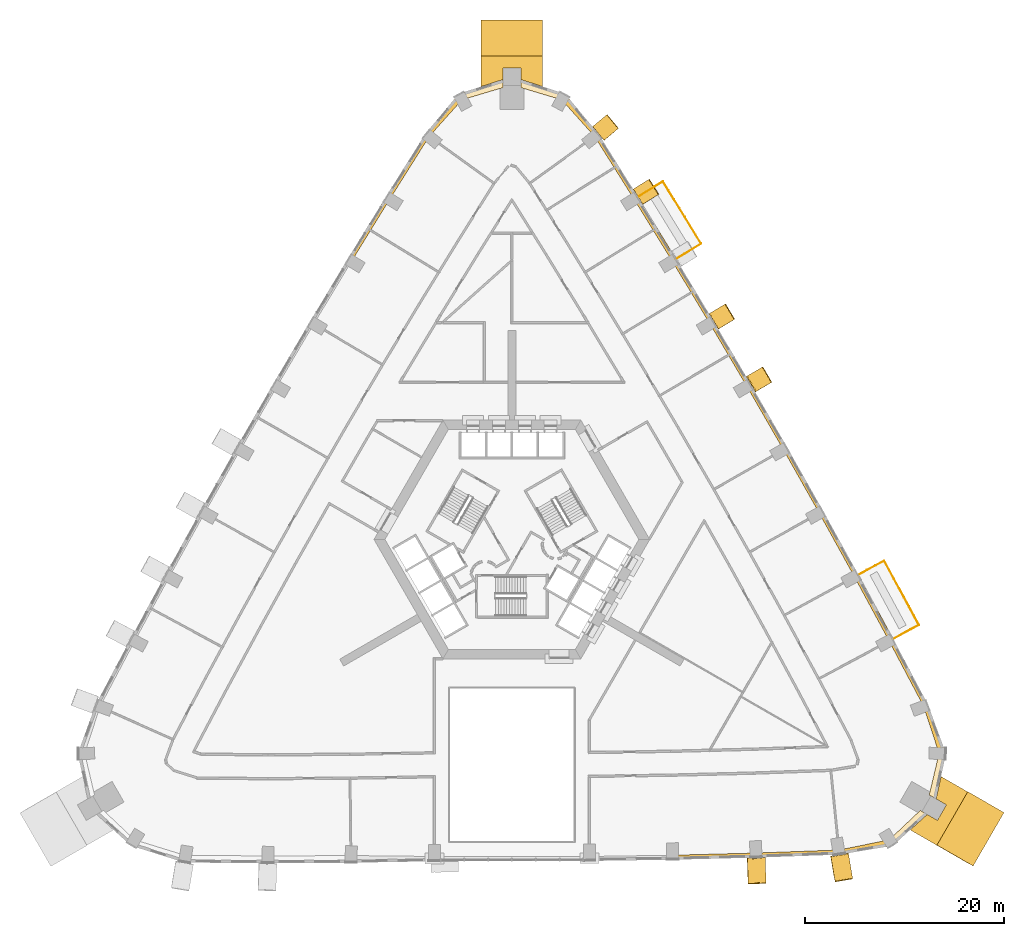
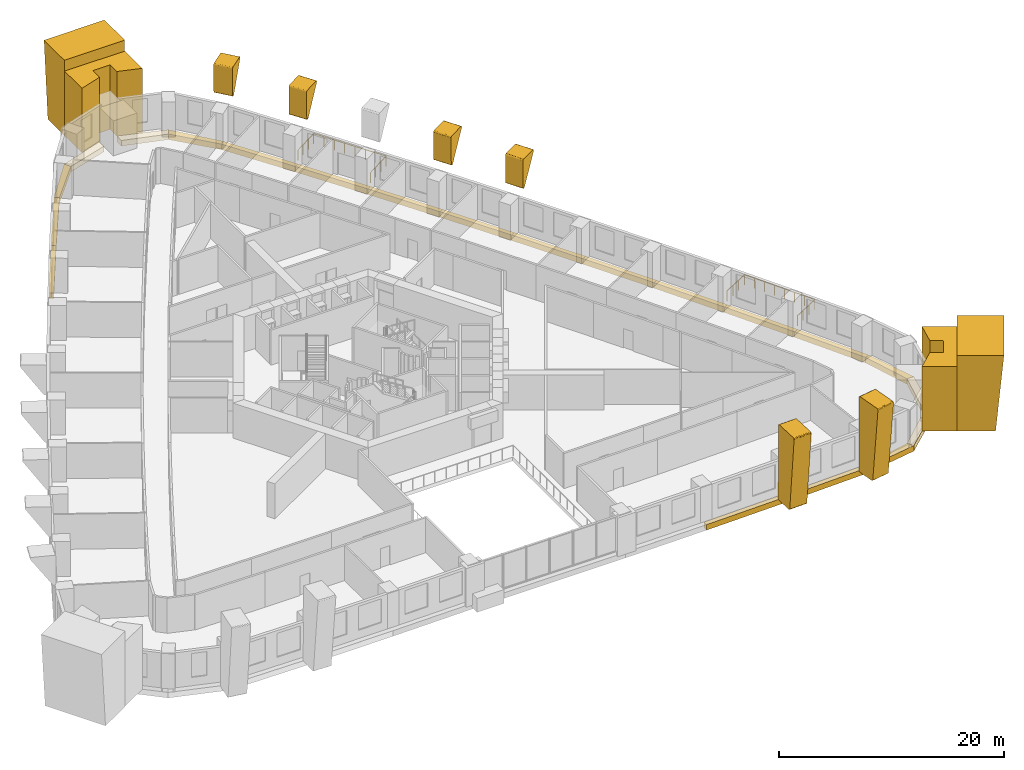
# One storey, part 17 of 17: 31 coverings, 2 railings.
"""IFC4 building model written with IfcOpenShell, lengths in metres."""

from ifc_helpers import new_model, si_unit, direction, frame, origin, origin_2d, place, context, subcontext, project, spatial, polyline, circle, outline, extrude, material, type_object, element, save


model = new_model("IFC4")

# Units and contexts
model_context = context("Model", 3, precision=1e-05, world=origin(), true_north=direction((0.0, 1.0)))
body_context = subcontext(model_context, "Body", "Model", "MODEL_VIEW")
ifc_project = project(units=[si_unit("LENGTHUNIT", "METRE"), si_unit("AREAUNIT", "SQUARE_METRE"), si_unit("VOLUMEUNIT", "CUBIC_METRE"), si_unit("PLANEANGLEUNIT", "RADIAN"), si_unit("MASSUNIT", "GRAM", prefix="KILO")], contexts=[model_context])

# Site, building, storey
site_placement = place(None, origin())
site = spatial("IfcSite", under=ifc_project, at=site_placement, CompositionType="ELEMENT")
building_placement = place(site_placement, origin())
building = spatial("IfcBuilding", under=site, at=building_placement, Name="Entoto Arch Interchange Tower", CompositionType="ELEMENT")
storey_placement = place(building_placement, frame((0.0, 0.0, 72.800048828125)))
storey = spatial("IfcBuildingStorey", under=building, at=storey_placement, Name="L15", CompositionType="ELEMENT", Elevation=72.800048828125)

# Railings
ifc_material_1 = material(Name="Stainless steel 1.4301", Category="steel")
railing_type = type_object("IfcRailingType", Name="GUARD 1100 STEEL AND GLASS", PredefinedType="GUARDRAIL", material=ifc_material_1)
railing_1_placement = place(storey_placement, frame((38.321044921875, -7.491943359375, 0.0)))
element("IfcRailing", 1, at=railing_1_placement, inside=storey, type_object=railing_type, Name="Balcony guard NE-02 L15", PredefinedType="GUARDRAIL", context=body_context, shape_type="SweptSolid", body=[
    extrude(circle(Radius=0.02392578125, at=origin_2d()), frame((0.0, 0.0, 1.076171875), z_axis=(0.879299186895, 0.476269818408, 0.0), x_axis=(-0.476269818408, 0.879299186895, 0.0)), (0.0, 0.0, 1.0), 2.949951171875),
    extrude(circle(Radius=0.02392578125, at=origin_2d()), frame((2.593994140625, 1.405029296875, 1.076171875), z_axis=(-0.476182273115, 0.879346599909, 0.0), x_axis=(-0.879346599909, -0.476182273115, 0.0)), (0.0, 0.0, 1.0), 7.3291015625),
    extrude(circle(Radius=0.02392578125, at=origin_2d()), frame((-0.89599609375, 7.849853515625, 1.076171875), z_axis=(-0.879299186895, -0.476269818408, 0.0), x_axis=(0.476269818408, -0.879299186895, 0.0)), (0.0, 0.0, 1.0), 2.949951171875),
    extrude(circle(Radius=0.02099609375, at=origin_2d()), origin(), (0.0, 0.0, 1.0), 1.052001953125),
    extrude(circle(Radius=0.02099609375, at=origin_2d()), frame((0.86474609375, 0.46826171875, 0.0)), (0.0, 0.0, 1.0), 1.052001953125),
    extrude(circle(Radius=0.02099609375, at=origin_2d()), frame((1.729248046875, 0.936767578125, 0.0)), (0.0, 0.0, 1.0), 1.052001953125),
    extrude(circle(Radius=0.02099609375, at=origin_2d()), frame((2.593994140625, 1.405029296875, 0.0)), (0.0, 0.0, 1.0), 1.052001953125),
    extrude(circle(Radius=0.02099609375, at=origin_2d()), frame((2.095458984375, 2.32568359375, 0.0)), (0.0, 0.0, 1.0), 1.052001953125),
    extrude(circle(Radius=0.02099609375, at=origin_2d()), frame((1.596923828125, 3.246337890625, 0.0)), (0.0, 0.0, 1.0), 1.052001953125),
    extrude(circle(Radius=0.02099609375, at=origin_2d()), frame((1.098388671875, 4.1669921875, 0.0)), (0.0, 0.0, 1.0), 1.052001953125),
    extrude(circle(Radius=0.02099609375, at=origin_2d()), frame((0.599609375, 5.087890625, 0.0)), (0.0, 0.0, 1.0), 1.052001953125),
    extrude(circle(Radius=0.02099609375, at=origin_2d()), frame((0.10107421875, 6.008544921875, 0.0)), (0.0, 0.0, 1.0), 1.052001953125),
    extrude(circle(Radius=0.02099609375, at=origin_2d()), frame((-0.3974609375, 6.92919921875, 0.0)), (0.0, 0.0, 1.0), 1.052001953125),
    extrude(circle(Radius=0.02099609375, at=origin_2d()), frame((-0.89599609375, 7.849853515625, 0.0)), (0.0, 0.0, 1.0), 1.052001953125),
    extrude(circle(Radius=0.02099609375, at=origin_2d()), frame((-1.7607421875, 7.381591796875, 0.0)), (0.0, 0.0, 1.0), 1.052001953125),
    extrude(circle(Radius=0.02099609375, at=origin_2d()), frame((-2.625244140625, 6.9130859375, 0.0)), (0.0, 0.0, 1.0), 1.052001953125),
    extrude(circle(Radius=0.02099609375, at=origin_2d()), frame((-3.489990234375, 6.44482421875, 0.0)), (0.0, 0.0, 1.0), 1.052001953125),
])
railing_2_placement = place(storey_placement, frame((16.509033203125, 30.68798828125, 0.0)))
element("IfcRailing", 2, at=railing_2_placement, inside=storey, type_object=railing_type, Name="Balcony guard NE-08 L15", PredefinedType="GUARDRAIL", context=body_context, shape_type="SweptSolid", body=[
    extrude(circle(Radius=0.02392578125, at=origin_2d()), frame((0.0, 0.0, 1.076171875), z_axis=(0.852123962976, 0.523339996296, 0.0), x_axis=(-0.523339996296, 0.852123962976, 0.0)), (0.0, 0.0, 1.0), 2.9501953125),
    extrude(circle(Radius=0.02392578125, at=origin_2d()), frame((2.513916015625, 1.5439453125, 1.076171875), z_axis=(-0.52342086936, 0.852074288732, 0.0), x_axis=(-0.852074288732, -0.52342086936, 0.0)), (0.0, 0.0, 1.0), 7.33056640625),
    extrude(circle(Radius=0.02392578125, at=origin_2d()), frame((-1.322998046875, 7.7900390625, 1.076171875), z_axis=(-0.852123962976, -0.523339996296, 0.0), x_axis=(0.523339996296, -0.852123962976, 0.0)), (0.0, 0.0, 1.0), 2.9501953125),
    extrude(circle(Radius=0.02099609375, at=origin_2d()), origin(), (0.0, 0.0, 1.0), 1.052001953125),
    extrude(circle(Radius=0.02099609375, at=origin_2d()), frame((0.837890625, 0.5146484375, 0.0)), (0.0, 0.0, 1.0), 1.052001953125),
    extrude(circle(Radius=0.02099609375, at=origin_2d()), frame((1.676025390625, 1.029296875, 0.0)), (0.0, 0.0, 1.0), 1.052001953125),
    extrude(circle(Radius=0.02099609375, at=origin_2d()), frame((2.513916015625, 1.5439453125, 0.0)), (0.0, 0.0, 1.0), 1.052001953125),
    extrude(circle(Radius=0.02099609375, at=origin_2d()), frame((1.9658203125, 2.436279296875, 0.0)), (0.0, 0.0, 1.0), 1.052001953125),
    extrude(circle(Radius=0.02099609375, at=origin_2d()), frame((1.417724609375, 3.32861328125, 0.0)), (0.0, 0.0, 1.0), 1.052001953125),
    extrude(circle(Radius=0.02099609375, at=origin_2d()), frame((0.86962890625, 4.220947265625, 0.0)), (0.0, 0.0, 1.0), 1.052001953125),
    extrude(circle(Radius=0.02099609375, at=origin_2d()), frame((0.3212890625, 5.113037109375, 0.0)), (0.0, 0.0, 1.0), 1.052001953125),
    extrude(circle(Radius=0.02099609375, at=origin_2d()), frame((-0.226806640625, 6.00537109375, 0.0)), (0.0, 0.0, 1.0), 1.052001953125),
    extrude(circle(Radius=0.02099609375, at=origin_2d()), frame((-0.77490234375, 6.897705078125, 0.0)), (0.0, 0.0, 1.0), 1.052001953125),
    extrude(circle(Radius=0.02099609375, at=origin_2d()), frame((-1.322998046875, 7.7900390625, 0.0)), (0.0, 0.0, 1.0), 1.052001953125),
    extrude(circle(Radius=0.02099609375, at=origin_2d()), frame((-2.160888671875, 7.275390625, 0.0)), (0.0, 0.0, 1.0), 1.052001953125),
    extrude(circle(Radius=0.02099609375, at=origin_2d()), frame((-2.9990234375, 6.7607421875, 0.0)), (0.0, 0.0, 1.0), 1.052001953125),
    extrude(circle(Radius=0.02099609375, at=origin_2d()), frame((-3.8369140625, 6.24609375, 0.0)), (0.0, 0.0, 1.0), 1.052001953125),
])

# Coverings
ifc_material_2 = material(Name="Board-marked precast concrete C50/60", Category="concrete")
covering_type_1 = type_object("IfcCoveringType", Name="PRECAST FRAME COURSE", PredefinedType="CLADDING", material=ifc_material_2)
covering_1_placement = place(storey_placement, frame((0.0, 0.0, -0.400146484375)))
element("IfcCovering", 3, at=covering_1_placement, inside=storey, type_object=covering_type_1, Name="Corner pilaster SE L15-L16", PredefinedType="CLADDING", context=body_context, shape_type="SweptSolid", body=[
    extrude(outline(polyline([(45.81103515625, -22.868896484375), (42.7109375, -28.239013671875), (40.031005859375, -26.69189453125), (41.741943359375, -25.138916015625), (42.77099609375, -25.73291015625), (43.6708984375, -24.175048828125), (42.64208984375, -23.580078125), (43.132080078125, -21.322998046875), (45.81103515625, -22.868896484375)])), origin(), (0.0, 0.0, 1.0), 7.0),
])
covering_2_placement = place(storey_placement, frame((0.0, 0.0, -0.400146484375)))
element("IfcCovering", 4, at=covering_2_placement, inside=storey, type_object=covering_type_1, Name="Corner pilaster N L15-L16", PredefinedType="CLADDING", context=body_context, shape_type="SweptSolid", body=[
    extrude(outline(polyline([(-3.10009765625, 51.10791015625), (3.10009765625, 51.10791015625), (3.10009765625, 48.013916015625), (0.89990234375, 48.718994140625), (0.89990234375, 49.907958984375), (-0.89990234375, 49.907958984375), (-0.89990234375, 48.718994140625), (-3.10009765625, 48.013916015625), (-3.10009765625, 51.10791015625)])), origin(), (0.0, 0.0, 1.0), 7.0),
])
covering_3_placement = place(storey_placement, frame((42.7109375, -28.239013671875, -0.400146484375), z_axis=(-0.500010030462, -0.866014182904, 0.003066667102), x_axis=(0.866018254938, -0.500012381961, -1.21708e-07)))
element("IfcCovering", 5, at=covering_3_placement, inside=storey, type_object=covering_type_1, Name="Corner rib SE L15-L16", PredefinedType="CLADDING", context=body_context, shape_type="SweptSolid", body=[
    extrude(outline(polyline([(0.0, 0.0), (3.4537786209072836, 8.673617379884035e-19), (4.199212927608314, 8.20023438300567), (-0.0006275165594793134, 8.200233451491245), (0.0, 0.0)])), origin(), (0.0, 0.0, -1.0), 6.199951171875),
])
covering_4_placement = place(storey_placement, frame((3.10009765625, 51.10791015625, -0.400146484375), z_axis=(0.999995298103, 0.0, 0.003066556976), x_axis=(0.0, 1.0, 0.0)))
element("IfcCovering", 6, at=covering_4_placement, inside=storey, type_object=covering_type_1, Name="Corner rib N L15-L16", PredefinedType="CLADDING", context=body_context, shape_type="SweptSolid", body=[
    extrude(outline(polyline([(0.0, 0.0), (2.961181640625, 0.0), (3.60009765625, 8.200233869154184), (0.0, 8.200233869154184), (0.0, 0.0)])), origin(), (0.0, 0.0, -1.0), 6.199951171875),
])
covering_5_placement = place(storey_placement, frame((23.64599609375, -29.656005859375, -0.400146484375), z_axis=(-0.999438664865, -0.033365373913, 0.003017780232), x_axis=(-0.032841065099, 0.99354996722, 0.108535372488)))
element("IfcCovering", 7, at=covering_5_placement, inside=storey, type_object=covering_type_1, Name="Fold rib S07 L15-L16", PredefinedType="CLADDING", context=body_context, shape_type="SweptSolid", body=[
    extrude(outline(polyline([(0.0, 0.0), (0.029241887256316303, 0.0), (0.05777440494260901, -0.0047435421969609015), (0.08529790649466432, -0.01598242510924751), (0.11019800909064435, -0.03241921807307458), (0.1306386884334574, -0.053274808273744347), (0.14730579338357674, -0.0774861011896801), (0.15932798982481147, -0.10441731047089717), (0.16539203009159933, -0.1329807794066205), (1.0232379550033381, -7.986205042744243), (1.0209731644756426, -8.030657856748757), (1.0129989647249937, -8.05878790047945), (0.9995543368946675, -8.084324979516776), (0.9700351086185565, -8.117755149052968), (0.9322569923854763, -8.141037711927295), (0.8901957682207245, -8.151768361021098), (-1.433272637894667, -8.405450007095885), (-1.4766587567431162, -8.40404579282139), (-1.518538473036696, -8.389461117495683), (-1.5433325840579801, -8.37399511360132), (-1.5638053347534293, -8.353145987891605), (-1.5804403683509123, -8.328928230484715), (-1.5923565732174516, -8.30296781027296), (-1.6002795509083156, -8.259626266851319), (-1.7704251420102288, -0.3313187001026496), (-1.768727073158114, -0.30190854881807166), (-1.7541205153906798, -0.26003594425377474), (-1.7278300527582444, -0.22401091339001258), (-1.6936533131679785, -0.19719400731026668), (-1.651873907507778, -0.18133379228742486), (0.0, 0.0)])), origin(), (0.0, 0.0, -1.0), 1.800048828125),
])
covering_6_placement = place(storey_placement, frame((32.049072265625, -29.47509765625, -0.400146484375), z_axis=(-0.986011605912, -0.166649845602, 0.002990312449), x_axis=(-0.165379508007, 0.980414424261, 0.106944728868)))
element("IfcCovering", 8, at=covering_6_placement, inside=storey, type_object=covering_type_1, Name="Fold rib S08 L15-L16", PredefinedType="CLADDING", context=body_context, shape_type="SweptSolid", body=[
    extrude(outline(polyline([(0.0, 0.0), (0.029671037019157874, -8.673617379884035e-19), (0.05884034372665598, -0.004719609334817729), (0.0854557043675418, -0.016098749707553567), (0.11063800828852188, -0.03254273313097934), (0.1312893818248934, -0.05340328587752614), (0.14830319858251037, -0.07760188920221771), (0.1592882917124473, -0.1046564270228546), (0.16550699538693037, -0.13320930575347817), (1.0103539471052083, -7.987841305344592), (1.0087466850265128, -8.032215517356878), (1.0005506839885618, -8.060353184371971), (0.9862706429951558, -8.085950205601831), (0.9571166938673283, -8.119290510957255), (0.9197252765689332, -8.142465829264875), (0.8770799332631687, -8.15319100510572), (-1.4483853318381672, -8.403323253694301), (-1.4923361527912458, -8.401911460902344), (-1.5336016772154109, -8.387198880400945), (-1.5577999625279237, -8.371628716066189), (-1.5791694130351897, -8.350845034077054), (-1.6025157193307085, -8.314313983362212), (-1.6108107983533642, -8.285986360962562), (-1.6148752711151646, -8.257202869959704), (-1.7700991591962512, -0.32839242374204314), (-1.7680181537748119, -0.29894807544953983), (-1.7541030448985826, -0.2571818700508128), (-1.7285759565622205, -0.22128713339464973), (-1.6926808556414987, -0.19434568020115517), (-1.6515412489087988, -0.17862547187774608), (0.0, 0.0)])), origin(), (0.0, 0.0, -1.0), 1.800048828125),
])
covering_7_placement = place(storey_placement, frame((24.70703125, 17.4580078125, 4.69091796875), z_axis=(0.503923481893, -0.863742662339, 0.003120521215), x_axis=(-0.515519519272, -0.303658459676, -0.801268472559)))
element("IfcCovering", 9, at=covering_7_placement, inside=storey, type_object=covering_type_1, Name="Fold rib NE06 L15-L16", PredefinedType="CLADDING", context=body_context, shape_type="SweptSolid", body=[
    extrude(outline(polyline([(0.0, 0.0), (0.02863822650993686, -1.734723475976807e-18), (0.057203063019239136, -0.00479223739579393), (0.0970791810391756, -0.021469576858532007), (0.13060593930001516, -0.04964293273356718), (0.15456470021470645, -0.0866274601396852), (0.16388660246214748, -0.11421005103459345), (0.167992645470317, -0.1429676811580367), (0.16357691713616623, -0.18561114833341077), (0.14659054751392125, -0.22652129205714536), (0.11908303143151729, -0.25986914910084796), (-2.203167547213341, -1.9950912211769396), (-2.228253439865798, -2.0100502537797453), (-2.270639885767415, -2.023473984445192), (-2.3143738029427836, -2.0232532724683234), (-2.3567755196242697, -2.0101286363009954), (-2.3930819882800622, -1.9863994387841175), (-2.413614274594909, -1.9642047454123475), (-3.3976719618470335, -0.6463139252948469), (-3.4188085826356476, -0.6061694380591647), (-3.426136205733215, -0.5779969070748083), (-3.427402618862974, -0.547733129109885), (-3.4229322459705895, -0.51862491817834), (-3.4128957692629536, -0.4904487293827846), (-3.3965387177644977, -0.4654267803788974), (-3.3766664872144627, -0.44348241972207014), (-3.35180497988035, -0.4265855243231971), (-3.325314752423443, -0.4139116357618453), (-3.296083639065736, -0.40776660761064254), (0.0, 0.0)])), origin(), (0.0, 0.0, -1.0), 1.800048828125),
])
covering_8_placement = place(storey_placement, frame((20.990966796875, 23.780029296875, 4.69189453125), z_axis=(0.512972578265, -0.858399295426, 0.003127868344), x_axis=(-0.525052893523, -0.316645953081, -0.789971391508)))
element("IfcCovering", 10, at=covering_8_placement, inside=storey, type_object=covering_type_1, Name="Fold rib NE07 L15-L16", PredefinedType="CLADDING", context=body_context, shape_type="SweptSolid", body=[
    extrude(outline(polyline([(0.0, 0.0), (0.04295489036230958, -6.938893903907228e-18), (0.08442387771031065, -0.012809996097528462), (0.1211017751761948, -0.03697378475321949), (0.14064090316836403, -0.058962313574247215), (0.15560450912663384, -0.08301715503380697), (0.16926690022351926, -0.12530970059623092), (0.16936077001148786, -0.1676382497396211), (0.16286142046243585, -0.19669164103424924), (0.15067068305460918, -0.2235915543892775), (0.12386439466000279, -0.2575421188194982), (-2.165110725449135, -2.034836779504371), (-2.1897054975102344, -2.0505354147166597), (-2.2322231242552846, -2.0642435348444237), (-2.2759494710546138, -2.064842300200684), (-2.3180735543853337, -2.053174892990994), (-2.3552547085177897, -2.0295634348167693), (-2.3760654111400923, -2.0079245070824108), (-3.3824599767397006, -0.7112740446538852), (-3.403821601938213, -0.6722008113366698), (-3.4116760269020756, -0.6441649397080607), (-3.413296824497461, -0.6142058195948923), (-3.4096751063186646, -0.5846294570688464), (-3.3998607140942187, -0.5566589654170773), (-3.3844831207525803, -0.5306761554859796), (-3.3646391400488262, -0.5088619538379227), (-3.34091685461048, -0.4904499191329226), (-3.313717322924619, -0.4785077753665028), (-3.2851210968702174, -0.47115300790954295), (0.0, 0.0)])), origin(), (0.0, 0.0, -1.0), 1.800048828125),
])
covering_9_placement = place(storey_placement, frame((13.386962890625, 36.320068359375, 4.696044921875), z_axis=(0.529665329404, -0.848201321266, 0.003026124456), x_axis=(-0.53024377638, -0.333894899588, -0.779330310997)))
element("IfcCovering", 11, at=covering_9_placement, inside=storey, type_object=covering_type_1, Name="Fold rib NE09 L15-L16", PredefinedType="CLADDING", context=body_context, shape_type="SweptSolid", body=[
    extrude(outline(polyline([(0.0, 0.0), (0.04386002009126459, 0.0), (0.08590184751568038, -0.01099285251306889), (0.12191595942186659, -0.035133200464674524), (0.1430218118347937, -0.05631749212950409), (0.15828892116505602, -0.08036995288474776), (0.17253117019202358, -0.121849633609564), (0.1727674183703616, -0.16539262028130003), (0.1619382214899202, -0.20763789089382256), (0.14808270584075076, -0.23365478450007882), (0.12976303373308412, -0.25529183321745996), (-2.1261068416250213, -2.0697503260349515), (-2.150628035942305, -2.0856138331850285), (-2.1923871400000614, -2.100693759034264), (-2.235892555923731, -2.102301150150056), (-2.278532236084703, -2.0909593493246206), (-2.3161164142420545, -2.067981596208167), (-2.336848260679605, -2.0472600922371123), (-3.3576595625899914, -0.7776502899668967), (-3.3793520312852463, -0.7393713804464854), (-3.3881230360134937, -0.7109254884297402), (-3.3898215693316387, -0.6815423451694629), (-3.3867065554614797, -0.6519080387834617), (-3.377612907980308, -0.6234772457031597), (-3.3625600286959028, -0.5973945693505744), (-3.3432890256421945, -0.5749926207019243), (-3.319886284369571, -0.5561760823927053), (-3.293220315155156, -0.5433698397965083), (-3.264429150252729, -0.5359271047530385), (0.0, 0.0)])), origin(), (0.0, 0.0, -1.0), 1.800048828125),
])
covering_10_placement = place(storey_placement, frame((9.47412109375, 42.778076171875, 4.700927734375), z_axis=(0.637635336307, -0.770332515435, 0.002998926047), x_axis=(-0.447427621533, -0.373517327315, -0.812584352351)))
element("IfcCovering", 12, at=covering_10_placement, inside=storey, type_object=covering_type_1, Name="Fold rib NE10 L15-L16", PredefinedType="CLADDING", context=body_context, shape_type="SweptSolid", body=[
    extrude(outline(polyline([(0.0, 0.0), (0.029444003374584957, 0.0), (0.05852969316383941, -0.004527106992268024), (0.09752648011242548, -0.02287284843299297), (0.1305291926820658, -0.05171155348262456), (0.15408461978216584, -0.08790116936745633), (0.16343290463172788, -0.11643431062549894), (0.1669004230730443, -0.14514684607199574), (0.16194932120563543, -0.18808689012591365), (0.14426452198431036, -0.22877857011198557), (0.1163004321579154, -0.2618380336614803), (-2.232597055832916, -1.9470349727981298), (-2.2578082612822583, -1.9617338261124462), (-2.3007662766122383, -1.9738853160401486), (-2.344366719151871, -1.9730007163567365), (-2.386290942896805, -1.959372591834287), (-2.4224596484477985, -1.934496826679554), (-2.4418915128818193, -1.9128529683329174), (-3.382121716536026, -0.6019890775249241), (-3.3969237066175877, -0.5759070245794311), (-3.409163032528729, -0.5332928925102507), (-3.4098150328748695, -0.5030636538433624), (-3.4046873374269104, -0.4741881624044968), (-3.3939803721977553, -0.4463871528143981), (-3.378208949075634, -0.4218814487142901), (-3.3579893812168056, -0.4002194258297731), (-3.3333494882790835, -0.3834719508292139), (-3.3059886984307068, -0.37177269942954716), (-3.27691698043534, -0.36580621505225563), (0.0, 0.0)])), origin(), (0.0, 0.0, -1.0), 1.800048828125),
])
covering_type_2 = type_object("IfcCoveringType", Name="PRECAST LEDGE COURSE", PredefinedType="CLADDING", material=ifc_material_2)
covering_11_placement = place(storey_placement, frame((0.0, 0.0, -1.0)))
element("IfcCovering", 13, at=covering_11_placement, inside=storey, type_object=covering_type_2, Name="Precast course S-06 L15", PredefinedType="CLADDING", context=body_context, shape_type="SweptSolid", body=[
    extrude(outline(polyline([(24.5400390625, -29.012939453125), (24.5400390625, -29.47607421875), (16.169921875, -29.68701171875), (16.169921875, -29.23193359375), (24.5400390625, -29.012939453125)])), origin(), (0.0, 0.0, 1.0), 0.599853515625),
])
covering_12_placement = place(storey_placement, frame((0.0, 0.0, -1.0)))
element("IfcCovering", 14, at=covering_12_placement, inside=storey, type_object=covering_type_2, Name="Precast course S-07 L15", PredefinedType="CLADDING", context=body_context, shape_type="SweptSolid", body=[
    extrude(outline(polyline([(32.910888671875, -28.705078125), (32.910888671875, -29.177001953125), (24.5400390625, -29.47607421875), (24.5400390625, -29.012939453125), (32.910888671875, -28.705078125)])), origin(), (0.0, 0.0, 1.0), 0.599853515625),
])
covering_13_placement = place(storey_placement, frame((0.0, 0.0, -1.0)))
element("IfcCovering", 15, at=covering_13_placement, inside=storey, type_object=covering_type_2, Name="Precast course SE-01 L15", PredefinedType="CLADDING", context=body_context, shape_type="SweptSolid", body=[
    extrude(outline(polyline([(37.924072265625, -27.681884765625), (38.284912109375, -28.277099609375), (32.910888671875, -29.177001953125), (32.910888671875, -28.705078125), (37.924072265625, -27.681884765625)])), origin(), (0.0, 0.0, 1.0), 0.599853515625),
])
covering_14_placement = place(storey_placement, frame((0.0, 0.0, -1.0)))
element("IfcCovering", 16, at=covering_14_placement, inside=storey, type_object=covering_type_2, Name="Precast course SE-02 L15", PredefinedType="CLADDING", context=body_context, shape_type="SweptSolid", body=[
    extrude(outline(polyline([(41.0439453125, -24.736083984375), (41.741943359375, -25.138916015625), (38.284912109375, -28.277099609375), (37.924072265625, -27.681884765625), (41.0439453125, -24.736083984375)])), origin(), (0.0, 0.0, 1.0), 0.599853515625),
])
covering_15_placement = place(storey_placement, frame((0.0, 0.0, -1.0)))
element("IfcCovering", 17, at=covering_15_placement, inside=storey, type_object=covering_type_2, Name="Precast course SE-03 L15", PredefinedType="CLADDING", context=body_context, shape_type="SweptSolid", body=[
    extrude(outline(polyline([(42.93505859375, -19.001953125), (43.631103515625, -19.01806640625), (42.64208984375, -23.580078125), (41.944091796875, -23.177001953125), (42.93505859375, -19.001953125)])), origin(), (0.0, 0.0, 1.0), 0.599853515625),
])
covering_16_placement = place(storey_placement, frame((0.0, 0.0, -1.0)))
element("IfcCovering", 18, at=covering_16_placement, inside=storey, type_object=covering_type_2, Name="Precast course SE-04 L15", PredefinedType="CLADDING", context=body_context, shape_type="SweptSolid", body=[
    extrude(outline(polyline([(41.387939453125, -14.291015625), (41.833984375, -14.125), (43.631103515625, -19.01806640625), (42.93505859375, -19.001953125), (41.387939453125, -14.291015625)])), origin(), (0.0, 0.0, 1.0), 0.599853515625),
])
covering_17_placement = place(storey_placement, frame((0.0, 0.0, -1.0)))
element("IfcCovering", 19, at=covering_17_placement, inside=storey, type_object=covering_type_2, Name="Precast course NE-01 L15", PredefinedType="CLADDING", context=body_context, shape_type="SweptSolid", body=[
    extrude(outline(polyline([(37.912109375, -7.7099609375), (38.321044921875, -7.491943359375), (41.833984375, -14.125), (41.387939453125, -14.291015625), (37.912109375, -7.7099609375)])), origin(), (0.0, 0.0, 1.0), 0.599853515625),
])
covering_18_placement = place(storey_placement, frame((0.0, 0.0, -1.0)))
element("IfcCovering", 20, at=covering_18_placement, inside=storey, type_object=covering_type_2, Name="Precast course NE-02 L15", PredefinedType="CLADDING", context=body_context, shape_type="SweptSolid", body=[
    extrude(outline(polyline([(34.429931640625, -1.264892578125), (34.8310546875, -1.047119140625), (38.321044921875, -7.491943359375), (37.912109375, -7.7099609375), (34.429931640625, -1.264892578125)])), origin(), (0.0, 0.0, 1.0), 0.599853515625),
])
covering_19_placement = place(storey_placement, frame((0.0, 0.0, -1.0)))
element("IfcCovering", 21, at=covering_19_placement, inside=storey, type_object=covering_type_2, Name="Precast course NE-03 L15", PredefinedType="CLADDING", context=body_context, shape_type="SweptSolid", body=[
    extrude(outline(polyline([(30.887939453125, 5.14599609375), (31.282958984375, 5.365966796875), (34.8310546875, -1.047119140625), (34.429931640625, -1.264892578125), (30.887939453125, 5.14599609375)])), origin(), (0.0, 0.0, 1.0), 0.599853515625),
])
covering_20_placement = place(storey_placement, frame((0.0, 0.0, -1.0)))
element("IfcCovering", 22, at=covering_20_placement, inside=storey, type_object=covering_type_2, Name="Precast course NE-04 L15", PredefinedType="CLADDING", context=body_context, shape_type="SweptSolid", body=[
    extrude(outline(polyline([(27.284912109375, 11.52392578125), (27.676025390625, 11.7470703125), (31.282958984375, 5.365966796875), (30.887939453125, 5.14599609375), (27.284912109375, 11.52392578125)])), origin(), (0.0, 0.0, 1.0), 0.599853515625),
])
covering_21_placement = place(storey_placement, frame((0.0, 0.0, -1.0)))
element("IfcCovering", 23, at=covering_21_placement, inside=storey, type_object=covering_type_2, Name="Precast course NE-05 L15", PredefinedType="CLADDING", context=body_context, shape_type="SweptSolid", body=[
    extrude(outline(polyline([(23.623046875, 17.866943359375), (24.010986328125, 18.093994140625), (27.676025390625, 11.7470703125), (27.284912109375, 11.52392578125), (23.623046875, 17.866943359375)])), origin(), (0.0, 0.0, 1.0), 0.599853515625),
])
covering_22_placement = place(storey_placement, frame((0.0, 0.0, -1.0)))
element("IfcCovering", 24, at=covering_22_placement, inside=storey, type_object=covering_type_2, Name="Precast course NE-06 L15", PredefinedType="CLADDING", context=body_context, shape_type="SweptSolid", body=[
    extrude(outline(polyline([(19.89990234375, 24.176025390625), (20.2890625, 24.408935546875), (24.010986328125, 18.093994140625), (23.623046875, 17.866943359375), (19.89990234375, 24.176025390625)])), origin(), (0.0, 0.0, 1.0), 0.599853515625),
])
covering_23_placement = place(storey_placement, frame((0.0, 0.0, -1.0)))
element("IfcCovering", 25, at=covering_23_placement, inside=storey, type_object=covering_type_2, Name="Precast course NE-07 L15", PredefinedType="CLADDING", context=body_context, shape_type="SweptSolid", body=[
    extrude(outline(polyline([(16.118896484375, 30.449951171875), (16.509033203125, 30.68798828125), (20.2890625, 24.408935546875), (19.89990234375, 24.176025390625), (16.118896484375, 30.449951171875)])), origin(), (0.0, 0.0, 1.0), 0.599853515625),
])
covering_24_placement = place(storey_placement, frame((0.0, 0.0, -1.0)))
element("IfcCovering", 26, at=covering_24_placement, inside=storey, type_object=covering_type_2, Name="Precast course NE-08 L15", PredefinedType="CLADDING", context=body_context, shape_type="SweptSolid", body=[
    extrude(outline(polyline([(12.279052734375, 36.68798828125), (12.672119140625, 36.93408203125), (16.509033203125, 30.68798828125), (16.118896484375, 30.449951171875), (12.279052734375, 36.68798828125)])), origin(), (0.0, 0.0, 1.0), 0.599853515625),
])
covering_25_placement = place(storey_placement, frame((0.0, 0.0, -1.0)))
element("IfcCovering", 27, at=covering_25_placement, inside=storey, type_object=covering_type_2, Name="Precast course NE-09 L15", PredefinedType="CLADDING", context=body_context, shape_type="SweptSolid", body=[
    extrude(outline(polyline([(8.318115234375, 42.988037109375), (8.68408203125, 43.2919921875), (12.672119140625, 36.93408203125), (12.279052734375, 36.68798828125), (8.318115234375, 42.988037109375)])), origin(), (0.0, 0.0, 1.0), 0.599853515625),
])
covering_26_placement = place(storey_placement, frame((0.0, 0.0, -1.0)))
element("IfcCovering", 28, at=covering_26_placement, inside=storey, type_object=covering_type_2, Name="Precast course N-01 L15", PredefinedType="CLADDING", context=body_context, shape_type="SweptSolid", body=[
    extrude(outline(polyline([(5.010986328125, 46.68408203125), (5.345947265625, 47.2939453125), (8.68408203125, 43.2919921875), (8.318115234375, 42.988037109375), (5.010986328125, 46.68408203125)])), origin(), (0.0, 0.0, 1.0), 0.599853515625),
])
covering_27_placement = place(storey_placement, frame((0.0, 0.0, -1.0)))
element("IfcCovering", 29, at=covering_27_placement, inside=storey, type_object=covering_type_2, Name="Precast course N-02 L15", PredefinedType="CLADDING", context=body_context, shape_type="SweptSolid", body=[
    extrude(outline(polyline([(0.89990234375, 47.9130859375), (0.89990234375, 48.718994140625), (5.345947265625, 47.2939453125), (5.010986328125, 46.68408203125), (0.89990234375, 47.9130859375)])), origin(), (0.0, 0.0, 1.0), 0.599853515625),
])
covering_28_placement = place(storey_placement, frame((0.0, 0.0, -1.0)))
element("IfcCovering", 30, at=covering_28_placement, inside=storey, type_object=covering_type_2, Name="Precast course N-03 L15", PredefinedType="CLADDING", context=body_context, shape_type="SweptSolid", body=[
    extrude(outline(polyline([(-5.010986328125, 46.68408203125), (-5.345947265625, 47.2939453125), (-0.89990234375, 48.718994140625), (-0.89990234375, 47.9130859375), (-5.010986328125, 46.68408203125)])), origin(), (0.0, 0.0, 1.0), 0.599853515625),
])
covering_29_placement = place(storey_placement, frame((0.0, 0.0, -1.0)))
element("IfcCovering", 31, at=covering_29_placement, inside=storey, type_object=covering_type_2, Name="Precast course N-04 L15", PredefinedType="CLADDING", context=body_context, shape_type="SweptSolid", body=[
    extrude(outline(polyline([(-8.318115234375, 42.988037109375), (-8.68408203125, 43.2919921875), (-5.345947265625, 47.2939453125), (-5.010986328125, 46.68408203125), (-8.318115234375, 42.988037109375)])), origin(), (0.0, 0.0, 1.0), 0.599853515625),
])
covering_30_placement = place(storey_placement, frame((0.0, 0.0, -1.0)))
element("IfcCovering", 32, at=covering_30_placement, inside=storey, type_object=covering_type_2, Name="Precast course NW-01 L15", PredefinedType="CLADDING", context=body_context, shape_type="SweptSolid", body=[
    extrude(outline(polyline([(-12.279052734375, 36.68798828125), (-12.672119140625, 36.93408203125), (-8.68408203125, 43.2919921875), (-8.318115234375, 42.988037109375), (-12.279052734375, 36.68798828125)])), origin(), (0.0, 0.0, 1.0), 0.599853515625),
])
covering_31_placement = place(storey_placement, frame((0.0, 0.0, -1.0)))
element("IfcCovering", 33, at=covering_31_placement, inside=storey, type_object=covering_type_2, Name="Precast course NW-02 L15", PredefinedType="CLADDING", context=body_context, shape_type="SweptSolid", body=[
    extrude(outline(polyline([(-16.118896484375, 30.449951171875), (-16.509033203125, 30.68798828125), (-12.672119140625, 36.93408203125), (-12.279052734375, 36.68798828125), (-16.118896484375, 30.449951171875)])), origin(), (0.0, 0.0, 1.0), 0.599853515625),
])

save(model, "model.ifc")
